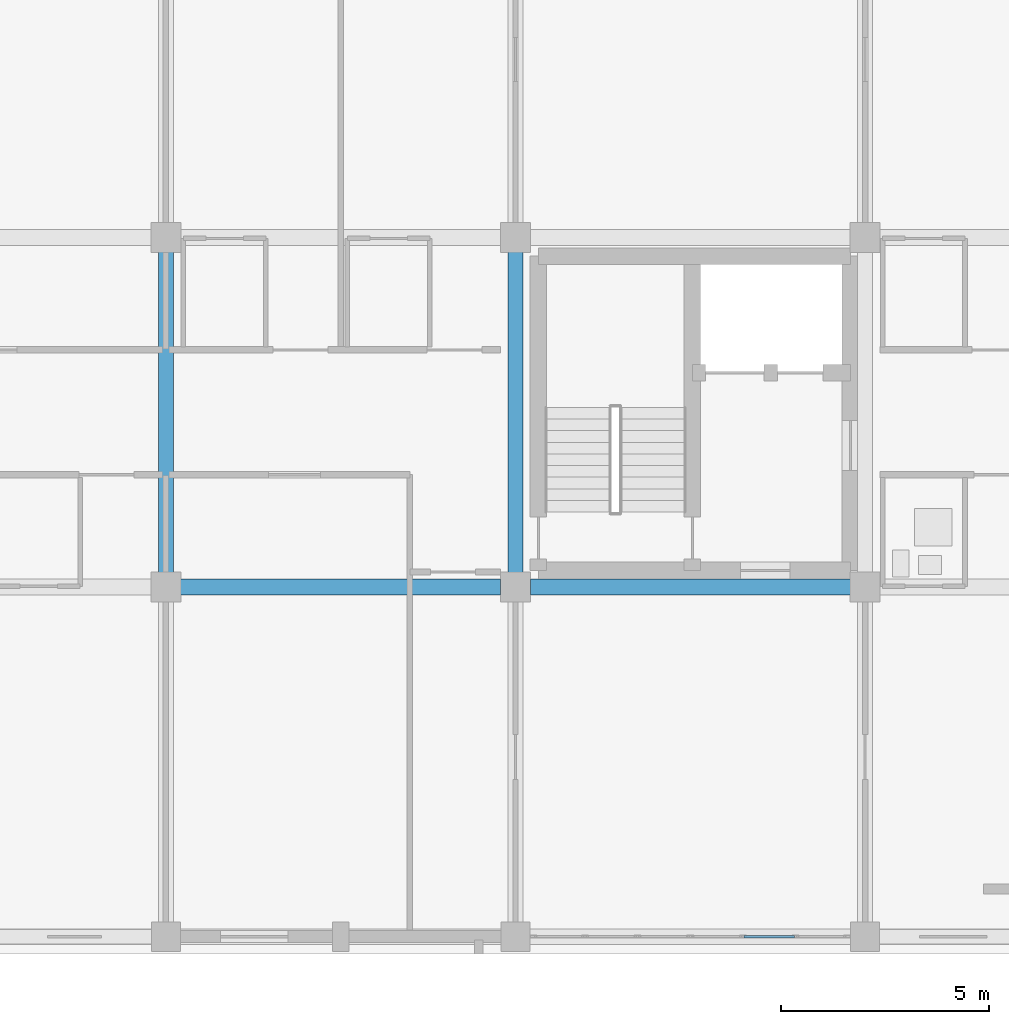
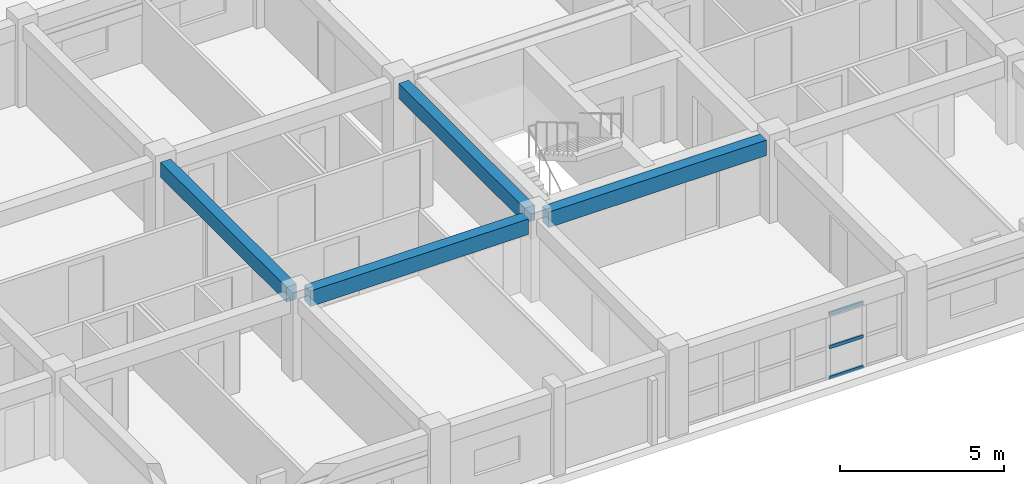
# One storey, part 13 of 148: 4 beams, 3 members, 1 element without a shape of its own.
"""IFC4 building model written with IfcOpenShell, lengths in metres."""

from ifc_helpers import new_model, si_unit, direction, frame, origin, origin_2d, place, context, subcontext, project, spatial, rectangle, hollow_rectangle, extrude, material, layer, layer_set, material_profile, profile_set, type_object, element, aggregate, save


model = new_model("IFC4")

# Units and contexts
model_context = context("Model", 3, precision=1e-05, world=origin(), true_north=direction((0.0, 1.0)))
body_context = subcontext(model_context, "Body", "Model", "MODEL_VIEW")
ifc_project = project(units=[si_unit("LENGTHUNIT", "METRE"), si_unit("AREAUNIT", "SQUARE_METRE"), si_unit("VOLUMEUNIT", "CUBIC_METRE"), si_unit("PLANEANGLEUNIT", "RADIAN"), si_unit("MASSUNIT", "GRAM", prefix="KILO")], contexts=[model_context])

# Site, building, storey
site_placement = place(None, origin())
site = spatial("IfcSite", under=ifc_project, at=site_placement, CompositionType="ELEMENT")
building_placement = place(site_placement, origin())
building = spatial("IfcBuilding", under=site, at=building_placement, Name="Trelvath General Hospital", CompositionType="ELEMENT")
storey_placement = place(building_placement, frame((0.0, 0.0, 12.89990234375)))
storey = spatial("IfcBuildingStorey", under=building, at=storey_placement, Name="L03", CompositionType="ELEMENT", Elevation=12.89990234375)

# Beams
ifc_material_1 = material(Name="Concrete C35/45", Category="concrete")
ifc_material_profile_1 = material_profile(ifc_material_1, rectangle(XDim=0.360107421875, YDim=0.56005859375, at=origin_2d()), Name="RCB360x560")
ifc_profile_set_1 = profile_set([ifc_material_profile_1], Name="Concrete C35/45")
beam_type_1 = type_object("IfcBeamType", Name="Beam RC360x560", PredefinedType="BEAM", material=ifc_profile_set_1)
for number, where, z_axis, x_axis, name in (
    (1, (33.60009765625, 8.7548828125, 2.739990234375), (0.0, 1.0, 0.0), (-1.0, 0.0, 0.0), "Grid Beam BY-304B"),
    (2, (42.0, 8.7548828125, 2.739990234375), (0.0, 1.0, 0.0), (-1.0, 0.0, 0.0), "Grid Beam BY-305B"),
):
    element("IfcBeam", number, at=place(storey_placement, frame(where, z_axis=z_axis, x_axis=x_axis)), inside=storey, type_object=beam_type_1, Name=name, PredefinedType="BEAM", context=body_context, shape_type="SweptSolid", body=[
        extrude(rectangle(XDim=0.360107421875, YDim=0.56005859375, at=origin_2d()), origin(), (0.0, 0.0, 1.0), 7.690185546875),
    ])
ifc_material_2 = material(Name="Concrete C35/45", Category="concrete")
ifc_material_profile_2 = material_profile(ifc_material_2, rectangle(XDim=0.3798828125, YDim=0.580078125, at=origin_2d()), Name="RCB380x580")
ifc_profile_set_2 = profile_set([ifc_material_profile_2], Name="Concrete C35/45")
beam_type_2 = type_object("IfcBeamType", Name="Beam RC380x580", PredefinedType="BEAM", material=ifc_profile_set_2)
for number, where, z_axis, x_axis, name in (
    (3, (33.955078125, 8.39990234375, 2.72998046875), (1.0, 0.0, 0.0), (0.0, 1.0, 0.0), "Grid Beam BX-304B"),
    (4, (42.35498046875, 8.39990234375, 2.72998046875), (1.0, 0.0, 0.0), (0.0, 1.0, 0.0), "Grid Beam BX-305B"),
):
    element("IfcBeam", number, at=place(storey_placement, frame(where, z_axis=z_axis, x_axis=x_axis)), inside=storey, type_object=beam_type_2, Name=name, PredefinedType="BEAM", context=body_context, shape_type="SweptSolid", body=[
        extrude(rectangle(XDim=0.3798828125, YDim=0.580078125, at=origin_2d()), origin(), (0.0, 0.0, 1.0), 7.68994140625),
    ])

# Curtain wall, members
ifc_material_3 = material(Name="Anodised aluminium and low-E glass", Category="aluminium")
ifc_layer = layer(ifc_material_3, 0.159912109375)
ifc_layer_set = layer_set([ifc_layer], Name="Anodised aluminium and low-E glass")
curtain_wall_type = type_object("IfcCurtainWallType", Name="CW Facade 759 244 16", PredefinedType="USERDEFINED", material=ifc_layer_set)
curtain_wall_placement = place(storey_placement, origin())
curtain_wall = element("IfcCurtainWall", 5, at=curtain_wall_placement, inside=storey, type_object=curtain_wall_type, Name="Facade Curtain Wall CW-056", ObjectType="Unitised Glazed Curtain Wall", PredefinedType="USERDEFINED")
ifc_material_4 = material(Name="Anodised aluminium", Category="aluminium")
ifc_material_profile_3 = material_profile(ifc_material_4, hollow_rectangle(XDim=0.06005859375, YDim=0.125, WallThickness=0.00390625, at=origin_2d()), Name="RHS60x125x4")
ifc_profile_set_3 = profile_set([ifc_material_profile_3], Name="Anodised aluminium")
member_type = type_object("IfcMemberType", Name="CurtainTransom 60x125", PredefinedType="USERDEFINED", material=ifc_profile_set_3)
member_1_placement = place(storey_placement, frame((48.699951171875, 0.0, 0.030029296875), z_axis=(-1.0, 0.0, 0.0), x_axis=(0.0, -1.0, 0.0)))
member_1 = element("IfcMember", 6, at=member_1_placement, type_object=member_type, Name="CW-056 transom 2.1", ObjectType="TRANSOM", PredefinedType="USERDEFINED", context=body_context, shape_type="SweptSolid", body=[
    extrude(hollow_rectangle(XDim=0.06005859375, YDim=0.125, WallThickness=0.00390625, at=origin_2d()), origin(), (0.0, 0.0, 1.0), 1.204833984375),
])
member_2_placement = place(storey_placement, frame((48.699951171875, 0.0, 1.171142578125), z_axis=(-1.0, 0.0, 0.0), x_axis=(0.0, -1.0, 0.0)))
member_2 = element("IfcMember", 7, at=member_2_placement, type_object=member_type, Name="CW-056 transom 2.2", ObjectType="TRANSOM", PredefinedType="USERDEFINED", context=body_context, shape_type="SweptSolid", body=[
    extrude(hollow_rectangle(XDim=0.06005859375, YDim=0.125, WallThickness=0.00390625, at=origin_2d()), origin(), (0.0, 0.0, 1.0), 1.204833984375),
])
member_3_placement = place(storey_placement, frame((48.699951171875, 0.0, 2.41015625), z_axis=(-1.0, 0.0, 0.0), x_axis=(0.0, -1.0, 0.0)))
member_3 = element("IfcMember", 8, at=member_3_placement, type_object=member_type, Name="CW-056 transom 2.3", ObjectType="TRANSOM", PredefinedType="USERDEFINED", context=body_context, shape_type="SweptSolid", body=[
    extrude(hollow_rectangle(XDim=0.06005859375, YDim=0.125, WallThickness=0.00390625, at=origin_2d()), origin(), (0.0, 0.0, 1.0), 1.204833984375),
])
aggregate(curtain_wall, [member_1, member_2, member_3])

save(model, "model.ifc")
